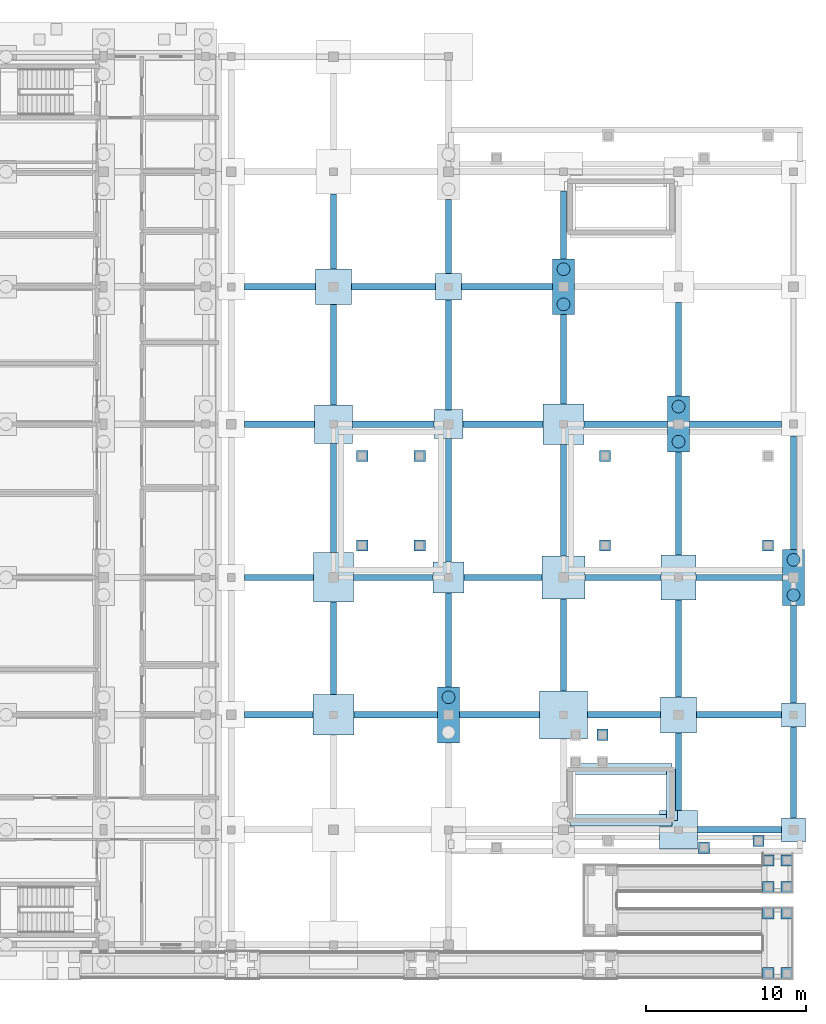
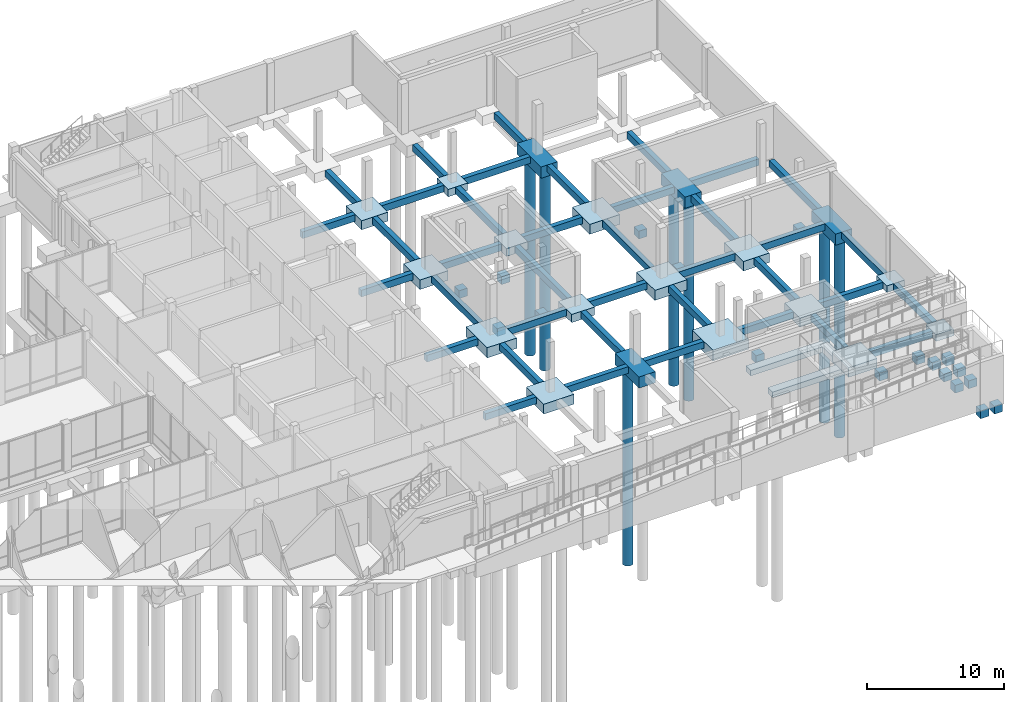
# One storey, part 4 of 104: 78 footings, 7 piles.
"""IFC4 building model written with IfcOpenShell, lengths in metres."""

from ifc_helpers import new_model, si_unit, direction, frame, origin, origin_2d, place, context, subcontext, project, spatial, rectangle, circle, extrude, material, layer, layer_set, material_profile, profile_set, type_object, element, save


model = new_model("IFC4")

# Units and contexts
model_context = context("Model", 3, precision=1e-05, world=origin(), true_north=direction((0.0, 1.0)))
body_context = subcontext(model_context, "Body", "Model", "MODEL_VIEW")
ifc_project = project(units=[si_unit("LENGTHUNIT", "METRE"), si_unit("AREAUNIT", "SQUARE_METRE"), si_unit("VOLUMEUNIT", "CUBIC_METRE"), si_unit("PLANEANGLEUNIT", "RADIAN"), si_unit("MASSUNIT", "GRAM", prefix="KILO")], contexts=[model_context])

# Site, building, storey
site_placement = place(None, origin())
site = spatial("IfcSite", under=ifc_project, at=site_placement, CompositionType="ELEMENT")
building_placement = place(site_placement, origin())
building = spatial("IfcBuilding", under=site, at=building_placement, Name="Hawrajan Terrace Health Centre", CompositionType="ELEMENT")
storey_placement = place(building_placement, origin())
storey = spatial("IfcBuildingStorey", under=building, at=storey_placement, Name="L00", CompositionType="ELEMENT", Elevation=0.0)

# Piles
ifc_material = material(Name="Concrete C40/50", Category="concrete")
ifc_material_profile_1 = material_profile(ifc_material, circle(Radius=0.39990234375, at=origin_2d()), Name="BP 800")
ifc_profile_set_1 = profile_set([ifc_material_profile_1], Name="Concrete C40/50")
pile_type = type_object("IfcPileType", Name="BoredPile_800", PredefinedType="BORED", material=ifc_profile_set_1)
for number, where, z_axis, x_axis, name in (
    (1, (143.800048828125, 19.699951171875, -0.5), (0.0, 0.0, -1.0), (1.0, 0.0, 0.0), "Bored pile P-348"),
    (2, (151.0, 44.300048828125, -0.5), (0.0, 0.0, -1.0), (1.0, 0.0, 0.0), "Bored pile P-353"),
    (3, (151.0, 46.5, -0.5), (0.0, 0.0, -1.0), (1.0, 0.0, 0.0), "Bored pile P-354"),
    (4, (158.199951171875, 35.699951171875, -0.5), (0.0, 0.0, -1.0), (1.0, 0.0, 0.0), "Bored pile P-355"),
    (5, (158.199951171875, 37.89990234375, -0.5), (0.0, 0.0, -1.0), (1.0, 0.0, 0.0), "Bored pile P-356"),
    (6, (165.39990234375, 26.10009765625, -0.5), (0.0, 0.0, -1.0), (1.0, 0.0, 0.0), "Bored pile P-357"),
    (7, (165.39990234375, 28.300048828125, -0.5), (0.0, 0.0, -1.0), (1.0, 0.0, 0.0), "Bored pile P-358"),
):
    element("IfcPile", number, at=place(storey_placement, frame(where, z_axis=z_axis, x_axis=x_axis)), inside=storey, type_object=pile_type, Name=name, PredefinedType="BORED", context=body_context, shape_type="SweptSolid", body=[
        extrude(circle(Radius=0.39990234375, at=origin_2d()), origin(), (0.0, 0.0, 1.0), 18.5),
    ])

# Footings
ifc_material_profile_2 = material_profile(ifc_material, rectangle(XDim=0.39990234375, YDim=0.60009765625, at=origin_2d()), Name="RC BM 400x600")
ifc_profile_set_2 = profile_set([ifc_material_profile_2], Name="Concrete C40/50")
footing_type_1 = type_object("IfcFootingType", Name="GroundBeam_400x600", PredefinedType="FOOTING_BEAM", material=ifc_profile_set_2)
footing_1_placement = place(storey_placement, frame((131.02490234375, 18.60009765625, -0.699951171875), z_axis=(1.0, 0.0, 0.0), x_axis=(0.0, 1.0, 0.0)))
element("IfcFooting", 8, at=footing_1_placement, inside=storey, type_object=footing_type_1, Name="Ground tie beam GB-X-E-17-3", PredefinedType="FOOTING_BEAM", context=body_context, shape_type="SweptSolid", body=[
    extrude(rectangle(XDim=0.39990234375, YDim=0.60009765625, at=origin_2d()), origin(), (0.0, 0.0, 1.0), 4.300048828125),
])
footing_2_placement = place(storey_placement, frame((131.02490234375, 27.199951171875, -0.699951171875), z_axis=(1.0, 0.0, 0.0), x_axis=(0.0, 1.0, 0.0)))
element("IfcFooting", 9, at=footing_2_placement, inside=storey, type_object=footing_type_1, Name="Ground tie beam GB-X-E-17-4", PredefinedType="FOOTING_BEAM", context=body_context, shape_type="SweptSolid", body=[
    extrude(rectangle(XDim=0.39990234375, YDim=0.60009765625, at=origin_2d()), origin(), (0.0, 0.0, 1.0), 4.3251953125),
])
footing_3_placement = place(storey_placement, frame((131.02490234375, 36.800048828125, -0.699951171875), z_axis=(1.0, 0.0, 0.0), x_axis=(0.0, 1.0, 0.0)))
element("IfcFooting", 10, at=footing_3_placement, inside=storey, type_object=footing_type_1, Name="Ground tie beam GB-X-E-17-5", PredefinedType="FOOTING_BEAM", context=body_context, shape_type="SweptSolid", body=[
    extrude(rectangle(XDim=0.39990234375, YDim=0.60009765625, at=origin_2d()), origin(), (0.0, 0.0, 1.0), 4.375),
])
footing_4_placement = place(storey_placement, frame((131.02490234375, 45.39990234375, -0.699951171875), z_axis=(1.0, 0.0, 0.0), x_axis=(0.0, 1.0, 0.0)))
element("IfcFooting", 11, at=footing_4_placement, inside=storey, type_object=footing_type_1, Name="Ground tie beam GB-X-E-17-6", PredefinedType="FOOTING_BEAM", context=body_context, shape_type="SweptSolid", body=[
    extrude(rectangle(XDim=0.39990234375, YDim=0.60009765625, at=origin_2d()), origin(), (0.0, 0.0, 1.0), 4.4501953125),
])
footing_5_placement = place(storey_placement, frame((137.875, 18.60009765625, -0.699951171875), z_axis=(1.0, 0.0, 0.0), x_axis=(0.0, 1.0, 0.0)))
element("IfcFooting", 12, at=footing_5_placement, inside=storey, type_object=footing_type_1, Name="Ground tie beam GB-X-E-18-3", PredefinedType="FOOTING_BEAM", context=body_context, shape_type="SweptSolid", body=[
    extrude(rectangle(XDim=0.39990234375, YDim=0.60009765625, at=origin_2d()), origin(), (0.0, 0.0, 1.0), 5.22509765625),
])
footing_6_placement = place(storey_placement, frame((136.60009765625, 19.875, -0.699951171875), z_axis=(0.0, 1.0, 0.0), x_axis=(-1.0, 0.0, 0.0)))
element("IfcFooting", 13, at=footing_6_placement, inside=storey, type_object=footing_type_1, Name="Ground tie beam GB-Y-E-18-3", PredefinedType="FOOTING_BEAM", context=body_context, shape_type="SweptSolid", body=[
    extrude(rectangle(XDim=0.39990234375, YDim=0.60009765625, at=origin_2d()), origin(), (0.0, 0.0, 1.0), 5.77490234375),
])
footing_7_placement = place(storey_placement, frame((137.85009765625, 27.199951171875, -0.699951171875), z_axis=(1.0, 0.0, 0.0), x_axis=(0.0, 1.0, 0.0)))
element("IfcFooting", 14, at=footing_7_placement, inside=storey, type_object=footing_type_1, Name="Ground tie beam GB-X-E-18-4", PredefinedType="FOOTING_BEAM", context=body_context, shape_type="SweptSolid", body=[
    extrude(rectangle(XDim=0.39990234375, YDim=0.60009765625, at=origin_2d()), origin(), (0.0, 0.0, 1.0), 4.974853515625),
])
footing_8_placement = place(storey_placement, frame((136.60009765625, 28.75, -0.699951171875), z_axis=(0.0, 1.0, 0.0), x_axis=(-1.0, 0.0, 0.0)))
element("IfcFooting", 15, at=footing_8_placement, inside=storey, type_object=footing_type_1, Name="Ground tie beam GB-Y-E-18-4", PredefinedType="FOOTING_BEAM", context=body_context, shape_type="SweptSolid", body=[
    extrude(rectangle(XDim=0.39990234375, YDim=0.60009765625, at=origin_2d()), origin(), (0.0, 0.0, 1.0), 6.85009765625),
])
footing_9_placement = place(storey_placement, frame((137.800048828125, 36.800048828125, -0.699951171875), z_axis=(1.0, 0.0, 0.0), x_axis=(0.0, 1.0, 0.0)))
element("IfcFooting", 16, at=footing_9_placement, inside=storey, type_object=footing_type_1, Name="Ground tie beam GB-X-E-18-5", PredefinedType="FOOTING_BEAM", context=body_context, shape_type="SweptSolid", body=[
    extrude(rectangle(XDim=0.39990234375, YDim=0.60009765625, at=origin_2d()), origin(), (0.0, 0.0, 1.0), 5.099853515625),
])
footing_10_placement = place(storey_placement, frame((136.60009765625, 38.0, -0.699951171875), z_axis=(0.0, 1.0, 0.0), x_axis=(-1.0, 0.0, 0.0)))
element("IfcFooting", 17, at=footing_10_placement, inside=storey, type_object=footing_type_1, Name="Ground tie beam GB-Y-E-18-5", PredefinedType="FOOTING_BEAM", context=body_context, shape_type="SweptSolid", body=[
    extrude(rectangle(XDim=0.39990234375, YDim=0.60009765625, at=origin_2d()), origin(), (0.0, 0.0, 1.0), 6.27490234375),
])
footing_11_placement = place(storey_placement, frame((137.72509765625, 45.39990234375, -0.699951171875), z_axis=(1.0, 0.0, 0.0), x_axis=(0.0, 1.0, 0.0)))
element("IfcFooting", 18, at=footing_11_placement, inside=storey, type_object=footing_type_1, Name="Ground tie beam GB-X-E-18-6", PredefinedType="FOOTING_BEAM", context=body_context, shape_type="SweptSolid", body=[
    extrude(rectangle(XDim=0.39990234375, YDim=0.60009765625, at=origin_2d()), origin(), (0.0, 0.0, 1.0), 5.25),
])
footing_12_placement = place(storey_placement, frame((136.60009765625, 46.52490234375, -0.699951171875), z_axis=(0.0, 1.0, 0.0), x_axis=(-1.0, 0.0, 0.0)))
element("IfcFooting", 19, at=footing_12_placement, inside=storey, type_object=footing_type_1, Name="Ground tie beam GB-Y-E-18-6", PredefinedType="FOOTING_BEAM", context=body_context, shape_type="SweptSolid", body=[
    extrude(rectangle(XDim=0.39990234375, YDim=0.60009765625, at=origin_2d()), origin(), (0.0, 0.0, 1.0), 4.675048828125),
])
footing_13_placement = place(storey_placement, frame((144.5, 18.60009765625, -0.699951171875), z_axis=(1.0, 0.0, 0.0), x_axis=(0.0, 1.0, 0.0)))
element("IfcFooting", 20, at=footing_13_placement, inside=storey, type_object=footing_type_1, Name="Ground tie beam GB-X-E-19-3", PredefinedType="FOOTING_BEAM", context=body_context, shape_type="SweptSolid", body=[
    extrude(rectangle(XDim=0.39990234375, YDim=0.60009765625, at=origin_2d()), origin(), (0.0, 0.0, 1.0), 5.0),
])
footing_14_placement = place(storey_placement, frame((143.800048828125, 20.35009765625, -0.699951171875), z_axis=(0.0, 1.0, 0.0), x_axis=(-1.0, 0.0, 0.0)))
element("IfcFooting", 21, at=footing_14_placement, inside=storey, type_object=footing_type_1, Name="Ground tie beam GB-Y-E-19-3", PredefinedType="FOOTING_BEAM", context=body_context, shape_type="SweptSolid", body=[
    extrude(rectangle(XDim=0.39990234375, YDim=0.60009765625, at=origin_2d()), origin(), (0.0, 0.0, 1.0), 5.875),
])
footing_15_placement = place(storey_placement, frame((144.77490234375, 27.199951171875, -0.699951171875), z_axis=(1.0, 0.0, 0.0), x_axis=(0.0, 1.0, 0.0)))
element("IfcFooting", 22, at=footing_15_placement, inside=storey, type_object=footing_type_1, Name="Ground tie beam GB-X-E-19-4", PredefinedType="FOOTING_BEAM", context=body_context, shape_type="SweptSolid", body=[
    extrude(rectangle(XDim=0.39990234375, YDim=0.60009765625, at=origin_2d()), origin(), (0.0, 0.0, 1.0), 4.875),
])
footing_16_placement = place(storey_placement, frame((143.800048828125, 28.175048828125, -0.699951171875), z_axis=(0.0, 1.0, 0.0), x_axis=(-1.0, 0.0, 0.0)))
element("IfcFooting", 23, at=footing_16_placement, inside=storey, type_object=footing_type_1, Name="Ground tie beam GB-Y-E-19-4", PredefinedType="FOOTING_BEAM", context=body_context, shape_type="SweptSolid", body=[
    extrude(rectangle(XDim=0.39990234375, YDim=0.60009765625, at=origin_2d()), origin(), (0.0, 0.0, 1.0), 7.724853515625),
])
footing_17_placement = place(storey_placement, frame((144.699951171875, 36.800048828125, -0.699951171875), z_axis=(1.0, 0.0, 0.0), x_axis=(0.0, 1.0, 0.0)))
element("IfcFooting", 24, at=footing_17_placement, inside=storey, type_object=footing_type_1, Name="Ground tie beam GB-X-E-19-5", PredefinedType="FOOTING_BEAM", context=body_context, shape_type="SweptSolid", body=[
    extrude(rectangle(XDim=0.39990234375, YDim=0.60009765625, at=origin_2d()), origin(), (0.0, 0.0, 1.0), 5.025146484375),
])
footing_18_placement = place(storey_placement, frame((143.800048828125, 37.699951171875, -0.699951171875), z_axis=(0.0, 1.0, 0.0), x_axis=(-1.0, 0.0, 0.0)))
element("IfcFooting", 25, at=footing_18_placement, inside=storey, type_object=footing_type_1, Name="Ground tie beam GB-Y-E-19-5", PredefinedType="FOOTING_BEAM", context=body_context, shape_type="SweptSolid", body=[
    extrude(rectangle(XDim=0.39990234375, YDim=0.60009765625, at=origin_2d()), origin(), (0.0, 0.0, 1.0), 6.875),
])
footing_19_placement = place(storey_placement, frame((144.625, 45.39990234375, -0.699951171875), z_axis=(1.0, 0.0, 0.0), x_axis=(0.0, 1.0, 0.0)))
element("IfcFooting", 26, at=footing_19_placement, inside=storey, type_object=footing_type_1, Name="Ground tie beam GB-X-E-19-6", PredefinedType="FOOTING_BEAM", context=body_context, shape_type="SweptSolid", body=[
    extrude(rectangle(XDim=0.39990234375, YDim=0.60009765625, at=origin_2d()), origin(), (0.0, 0.0, 1.0), 5.675048828125),
])
footing_20_placement = place(storey_placement, frame((143.800048828125, 46.22509765625, -0.699951171875), z_axis=(0.0, 1.0, 0.0), x_axis=(-1.0, 0.0, 0.0)))
element("IfcFooting", 27, at=footing_20_placement, inside=storey, type_object=footing_type_1, Name="Ground tie beam GB-Y-E-19-6", PredefinedType="FOOTING_BEAM", context=body_context, shape_type="SweptSolid", body=[
    extrude(rectangle(XDim=0.39990234375, YDim=0.60009765625, at=origin_2d()), origin(), (0.0, 0.0, 1.0), 4.625),
])
footing_21_placement = place(storey_placement, frame((152.5, 18.60009765625, -0.699951171875), z_axis=(1.0, 0.0, 0.0), x_axis=(0.0, 1.0, 0.0)))
element("IfcFooting", 28, at=footing_21_placement, inside=storey, type_object=footing_type_1, Name="Ground tie beam GB-X-E-20-3", PredefinedType="FOOTING_BEAM", context=body_context, shape_type="SweptSolid", body=[
    extrude(rectangle(XDim=0.39990234375, YDim=0.60009765625, at=origin_2d()), origin(), (0.0, 0.0, 1.0), 4.574951171875),
])
footing_22_placement = place(storey_placement, frame((151.0, 20.10009765625, -0.699951171875), z_axis=(0.0, 1.0, 0.0), x_axis=(-1.0, 0.0, 0.0)))
element("IfcFooting", 29, at=footing_22_placement, inside=storey, type_object=footing_type_1, Name="Ground tie beam GB-Y-E-20-3", PredefinedType="FOOTING_BEAM", context=body_context, shape_type="SweptSolid", body=[
    extrude(rectangle(XDim=0.39990234375, YDim=0.60009765625, at=origin_2d()), origin(), (0.0, 0.0, 1.0), 5.75),
])
footing_23_placement = place(storey_placement, frame((152.35009765625, 27.199951171875, -0.699951171875), z_axis=(1.0, 0.0, 0.0), x_axis=(0.0, 1.0, 0.0)))
element("IfcFooting", 30, at=footing_23_placement, inside=storey, type_object=footing_type_1, Name="Ground tie beam GB-X-E-20-4", PredefinedType="FOOTING_BEAM", context=body_context, shape_type="SweptSolid", body=[
    extrude(rectangle(XDim=0.39990234375, YDim=0.60009765625, at=origin_2d()), origin(), (0.0, 0.0, 1.0), 4.75),
])
footing_24_placement = place(storey_placement, frame((151.0, 28.550048828125, -0.699951171875), z_axis=(0.0, 1.0, 0.0), x_axis=(-1.0, 0.0, 0.0)))
element("IfcFooting", 31, at=footing_24_placement, inside=storey, type_object=footing_type_1, Name="Ground tie beam GB-Y-E-20-4", PredefinedType="FOOTING_BEAM", context=body_context, shape_type="SweptSolid", body=[
    extrude(rectangle(XDim=0.39990234375, YDim=0.60009765625, at=origin_2d()), origin(), (0.0, 0.0, 1.0), 6.974853515625),
])
footing_25_placement = place(storey_placement, frame((152.27490234375, 36.800048828125, -0.699951171875), z_axis=(1.0, 0.0, 0.0), x_axis=(0.0, 1.0, 0.0)))
element("IfcFooting", 32, at=footing_25_placement, inside=storey, type_object=footing_type_1, Name="Ground tie beam GB-X-E-20-5", PredefinedType="FOOTING_BEAM", context=body_context, shape_type="SweptSolid", body=[
    extrude(rectangle(XDim=0.39990234375, YDim=0.60009765625, at=origin_2d()), origin(), (0.0, 0.0, 1.0), 5.22509765625),
])
footing_26_placement = place(storey_placement, frame((151.0, 38.074951171875, -0.699951171875), z_axis=(0.0, 1.0, 0.0), x_axis=(-1.0, 0.0, 0.0)))
element("IfcFooting", 33, at=footing_26_placement, inside=storey, type_object=footing_type_1, Name="Ground tie beam GB-Y-E-20-5", PredefinedType="FOOTING_BEAM", context=body_context, shape_type="SweptSolid", body=[
    extrude(rectangle(XDim=0.39990234375, YDim=0.60009765625, at=origin_2d()), origin(), (0.0, 0.0, 1.0), 5.574951171875),
])
footing_27_placement = place(storey_placement, frame((151.0, 47.14990234375, -0.699951171875), z_axis=(0.0, 1.0, 0.0), x_axis=(-1.0, 0.0, 0.0)))
element("IfcFooting", 34, at=footing_27_placement, inside=storey, type_object=footing_type_1, Name="Ground tie beam GB-Y-E-20-6", PredefinedType="FOOTING_BEAM", context=body_context, shape_type="SweptSolid", body=[
    extrude(rectangle(XDim=0.39990234375, YDim=0.60009765625, at=origin_2d()), origin(), (0.0, 0.0, 1.0), 4.25),
])
footing_28_placement = place(storey_placement, frame((159.39990234375, 11.39990234375, -0.699951171875), z_axis=(1.0, 0.0, 0.0), x_axis=(0.0, 1.0, 0.0)))
element("IfcFooting", 35, at=footing_28_placement, inside=storey, type_object=footing_type_1, Name="Ground tie beam GB-X-E-21-2", PredefinedType="FOOTING_BEAM", context=body_context, shape_type="SweptSolid", body=[
    extrude(rectangle(XDim=0.39990234375, YDim=0.60009765625, at=origin_2d()), origin(), (0.0, 0.0, 1.0), 5.25),
])
footing_29_placement = place(storey_placement, frame((158.199951171875, 12.60009765625, -0.699951171875), z_axis=(0.0, 1.0, 0.0), x_axis=(-1.0, 0.0, 0.0)))
element("IfcFooting", 36, at=footing_29_placement, inside=storey, type_object=footing_type_1, Name="Ground tie beam GB-Y-E-21-2", PredefinedType="FOOTING_BEAM", context=body_context, shape_type="SweptSolid", body=[
    extrude(rectangle(XDim=0.39990234375, YDim=0.60009765625, at=origin_2d()), origin(), (0.0, 0.0, 1.0), 4.875),
])
footing_30_placement = place(storey_placement, frame((159.324951171875, 18.60009765625, -0.699951171875), z_axis=(1.0, 0.0, 0.0), x_axis=(0.0, 1.0, 0.0)))
element("IfcFooting", 37, at=footing_30_placement, inside=storey, type_object=footing_type_1, Name="Ground tie beam GB-X-E-21-3", PredefinedType="FOOTING_BEAM", context=body_context, shape_type="SweptSolid", body=[
    extrude(rectangle(XDim=0.39990234375, YDim=0.60009765625, at=origin_2d()), origin(), (0.0, 0.0, 1.0), 5.324951171875),
])
footing_31_placement = place(storey_placement, frame((158.199951171875, 19.72509765625, -0.699951171875), z_axis=(0.0, 1.0, 0.0), x_axis=(-1.0, 0.0, 0.0)))
element("IfcFooting", 38, at=footing_31_placement, inside=storey, type_object=footing_type_1, Name="Ground tie beam GB-Y-E-21-3", PredefinedType="FOOTING_BEAM", context=body_context, shape_type="SweptSolid", body=[
    extrude(rectangle(XDim=0.39990234375, YDim=0.60009765625, at=origin_2d()), origin(), (0.0, 0.0, 1.0), 6.074951171875),
])
footing_32_placement = place(storey_placement, frame((159.300048828125, 27.199951171875, -0.699951171875), z_axis=(1.0, 0.0, 0.0), x_axis=(0.0, 1.0, 0.0)))
element("IfcFooting", 39, at=footing_32_placement, inside=storey, type_object=footing_type_1, Name="Ground tie beam GB-X-E-21-4", PredefinedType="FOOTING_BEAM", context=body_context, shape_type="SweptSolid", body=[
    extrude(rectangle(XDim=0.39990234375, YDim=0.60009765625, at=origin_2d()), origin(), (0.0, 0.0, 1.0), 5.39990234375),
])
footing_33_placement = place(storey_placement, frame((158.199951171875, 28.60009765625, -0.699951171875), z_axis=(0.0, 1.0, 0.0), x_axis=(-1.0, 0.0, 0.0)))
element("IfcFooting", 40, at=footing_33_placement, inside=storey, type_object=footing_type_1, Name="Ground tie beam GB-Y-E-21-4", PredefinedType="FOOTING_BEAM", context=body_context, shape_type="SweptSolid", body=[
    extrude(rectangle(XDim=0.39990234375, YDim=0.60009765625, at=origin_2d()), origin(), (0.0, 0.0, 1.0), 6.449951171875),
])
footing_34_placement = place(storey_placement, frame((158.89990234375, 36.800048828125, -0.699951171875), z_axis=(1.0, 0.0, 0.0), x_axis=(0.0, 1.0, 0.0)))
element("IfcFooting", 41, at=footing_34_placement, inside=storey, type_object=footing_type_1, Name="Ground tie beam GB-X-E-21-5", PredefinedType="FOOTING_BEAM", context=body_context, shape_type="SweptSolid", body=[
    extrude(rectangle(XDim=0.39990234375, YDim=0.60009765625, at=origin_2d()), origin(), (0.0, 0.0, 1.0), 5.75),
])
footing_35_placement = place(storey_placement, frame((158.199951171875, 38.550048828125, -0.699951171875), z_axis=(0.0, 1.0, 0.0), x_axis=(-1.0, 0.0, 0.0)))
element("IfcFooting", 42, at=footing_35_placement, inside=storey, type_object=footing_type_1, Name="Ground tie beam GB-Y-E-21-5", PredefinedType="FOOTING_BEAM", context=body_context, shape_type="SweptSolid", body=[
    extrude(rectangle(XDim=0.39990234375, YDim=0.60009765625, at=origin_2d()), origin(), (0.0, 0.0, 1.0), 5.875),
])
footing_36_placement = place(storey_placement, frame((165.39990234375, 12.14990234375, -0.699951171875), z_axis=(0.0, 1.0, 0.0), x_axis=(-1.0, 0.0, 0.0)))
element("IfcFooting", 43, at=footing_36_placement, inside=storey, type_object=footing_type_1, Name="Ground tie beam GB-Y-E-22-2", PredefinedType="FOOTING_BEAM", context=body_context, shape_type="SweptSolid", body=[
    extrude(rectangle(XDim=0.39990234375, YDim=0.60009765625, at=origin_2d()), origin(), (0.0, 0.0, 1.0), 5.7001953125),
])
footing_37_placement = place(storey_placement, frame((165.39990234375, 19.35009765625, -0.699951171875), z_axis=(0.0, 1.0, 0.0), x_axis=(-1.0, 0.0, 0.0)))
element("IfcFooting", 44, at=footing_37_placement, inside=storey, type_object=footing_type_1, Name="Ground tie beam GB-Y-E-22-3", PredefinedType="FOOTING_BEAM", context=body_context, shape_type="SweptSolid", body=[
    extrude(rectangle(XDim=0.39990234375, YDim=0.60009765625, at=origin_2d()), origin(), (0.0, 0.0, 1.0), 6.099853515625),
])
footing_38_placement = place(storey_placement, frame((165.39990234375, 28.949951171875, -0.699951171875), z_axis=(0.0, 1.0, 0.0), x_axis=(-1.0, 0.0, 0.0)))
element("IfcFooting", 45, at=footing_38_placement, inside=storey, type_object=footing_type_1, Name="Ground tie beam GB-Y-E-22-4", PredefinedType="FOOTING_BEAM", context=body_context, shape_type="SweptSolid", body=[
    extrude(rectangle(XDim=0.39990234375, YDim=0.60009765625, at=origin_2d()), origin(), (0.0, 0.0, 1.0), 7.10009765625),
])
ifc_layer_1 = layer(ifc_material, 0.60009765625)
ifc_layer_set_1 = layer_set([ifc_layer_1], Name="Concrete C40/50")
footing_type_2 = type_object("IfcFootingType", Name="PadFooting_1500", PredefinedType="PAD_FOOTING", material=ifc_layer_set_1)
for number, where, z_axis, x_axis, name in (
    (46, (165.39990234375, 11.39990234375, -1.0), (0.0, 0.0, 1.0), (1.0, 0.0, 0.0), "Foundation FT-E-X22-Y2"),
    (47, (165.39990234375, 18.60009765625, -1.0), (0.0, 0.0, 1.0), (1.0, 0.0, 0.0), "Foundation FT-E-X22-Y3"),
):
    element("IfcFooting", number, at=place(storey_placement, frame(where, z_axis=z_axis, x_axis=x_axis)), inside=storey, type_object=footing_type_2, Name=name, PredefinedType="PAD_FOOTING", context=body_context, shape_type="SweptSolid", body=[
        extrude(rectangle(XDim=1.5, YDim=1.5, at=origin_2d()), origin(), (0.0, 0.0, 1.0), 0.60009765625),
    ])
ifc_layer_2 = layer(ifc_material, 0.64990234375)
ifc_layer_set_2 = layer_set([ifc_layer_2], Name="Concrete C40/50")
footing_type_3 = type_object("IfcFootingType", Name="PadFooting_1650", PredefinedType="PAD_FOOTING", material=ifc_layer_set_2)
footing_39_placement = place(storey_placement, frame((143.800048828125, 45.39990234375, -1.050048828125), z_axis=(0.0, 0.0, 1.0), x_axis=(1.0, 0.0, 0.0)))
element("IfcFooting", 48, at=footing_39_placement, inside=storey, type_object=footing_type_3, Name="Foundation FT-E-X19-Y6", PredefinedType="PAD_FOOTING", context=body_context, shape_type="SweptSolid", body=[
    extrude(rectangle(XDim=1.64990234375, YDim=1.64990234375, at=origin_2d()), origin(), (0.0, 0.0, 1.0), 0.64990234375),
])
ifc_layer_3 = layer(ifc_material, 0.699951171875)
ifc_layer_set_3 = layer_set([ifc_layer_3], Name="Concrete C40/50")
footing_type_4 = type_object("IfcFootingType", Name="PadFooting_1800", PredefinedType="PAD_FOOTING", material=ifc_layer_set_3)
footing_40_placement = place(storey_placement, frame((143.800048828125, 36.800048828125, -1.10009765625), z_axis=(0.0, 0.0, 1.0), x_axis=(1.0, 0.0, 0.0)))
element("IfcFooting", 49, at=footing_40_placement, inside=storey, type_object=footing_type_4, Name="Foundation FT-E-X19-Y5", PredefinedType="PAD_FOOTING", context=body_context, shape_type="SweptSolid", body=[
    extrude(rectangle(XDim=1.800048828125, YDim=1.800048828125, at=origin_2d()), origin(), (0.0, 0.0, 1.0), 0.699951171875),
])
ifc_layer_4 = layer(ifc_material, 0.719970703125)
ifc_layer_set_4 = layer_set([ifc_layer_4], Name="Concrete C40/50")
footing_type_5 = type_object("IfcFootingType", Name="PadFooting_1950", PredefinedType="PAD_FOOTING", material=ifc_layer_set_4)
footing_41_placement = place(storey_placement, frame((143.800048828125, 27.199951171875, -1.1201171875), z_axis=(0.0, 0.0, 1.0), x_axis=(1.0, 0.0, 0.0)))
element("IfcFooting", 50, at=footing_41_placement, inside=storey, type_object=footing_type_5, Name="Foundation FT-E-X19-Y4", PredefinedType="PAD_FOOTING", context=body_context, shape_type="SweptSolid", body=[
    extrude(rectangle(XDim=1.949951171875, YDim=1.949951171875, at=origin_2d()), origin(), (0.0, 0.0, 1.0), 0.719970703125),
])
ifc_layer_5 = layer(ifc_material, 0.85009765625)
ifc_layer_set_5 = layer_set([ifc_layer_5], Name="Concrete C40/50")
footing_type_6 = type_object("IfcFootingType", Name="PadFooting_2200x2800", PredefinedType="PAD_FOOTING", material=ifc_layer_set_5)
footing_42_placement = place(storey_placement, frame((158.199951171875, 27.199951171875, -1.25), z_axis=(0.0, 0.0, 1.0), x_axis=(1.0, 0.0, 0.0)))
element("IfcFooting", 51, at=footing_42_placement, inside=storey, type_object=footing_type_6, Name="Foundation FT-E-X21-Y4", PredefinedType="PAD_FOOTING", context=body_context, shape_type="SweptSolid", body=[
    extrude(rectangle(XDim=2.199951171875, YDim=2.800048828125, at=origin_2d()), origin(), (0.0, 0.0, 1.0), 0.85009765625),
])
ifc_layer_6 = layer(ifc_material, 0.800048828125)
ifc_layer_set_6 = layer_set([ifc_layer_6], Name="Concrete C40/50")
footing_type_7 = type_object("IfcFootingType", Name="PadFooting_2250", PredefinedType="PAD_FOOTING", material=ifc_layer_set_6)
for number, where, z_axis, x_axis, name in (
    (52, (136.60009765625, 45.39990234375, -1.2001953125), (0.0, 0.0, 1.0), (1.0, 0.0, 0.0), "Foundation FT-E-X18-Y6"),
    (53, (158.199951171875, 18.60009765625, -1.2001953125), (0.0, 0.0, 1.0), (1.0, 0.0, 0.0), "Foundation FT-E-X21-Y3"),
):
    element("IfcFooting", number, at=place(storey_placement, frame(where, z_axis=z_axis, x_axis=x_axis)), inside=storey, type_object=footing_type_7, Name=name, PredefinedType="PAD_FOOTING", context=body_context, shape_type="SweptSolid", body=[
        extrude(rectangle(XDim=2.25, YDim=2.25, at=origin_2d()), origin(), (0.0, 0.0, 1.0), 0.800048828125),
    ])
ifc_layer_7 = layer(ifc_material, 0.85009765625)
ifc_layer_set_7 = layer_set([ifc_layer_7], Name="Concrete C40/50")
footing_type_8 = type_object("IfcFootingType", Name="PadFooting_2400", PredefinedType="PAD_FOOTING", material=ifc_layer_set_7)
for number, where, z_axis, x_axis, name in (
    (54, (136.60009765625, 36.800048828125, -1.25), (0.0, 0.0, 1.0), (1.0, 0.0, 0.0), "Foundation FT-E-X18-Y5"),
    (55, (158.199951171875, 11.39990234375, -1.25), (0.0, 0.0, 1.0), (1.0, 0.0, 0.0), "Foundation FT-E-X21-Y2"),
):
    element("IfcFooting", number, at=place(storey_placement, frame(where, z_axis=z_axis, x_axis=x_axis)), inside=storey, type_object=footing_type_8, Name=name, PredefinedType="PAD_FOOTING", context=body_context, shape_type="SweptSolid", body=[
        extrude(rectangle(XDim=2.39990234375, YDim=2.39990234375, at=origin_2d()), origin(), (0.0, 0.0, 1.0), 0.85009765625),
    ])
ifc_layer_8 = layer(ifc_material, 0.919921875)
ifc_layer_set_8 = layer_set([ifc_layer_8], Name="Concrete C40/50")
footing_type_9 = type_object("IfcFootingType", Name="PadFooting_2500x3100", PredefinedType="PAD_FOOTING", material=ifc_layer_set_8)
footing_43_placement = place(storey_placement, frame((136.60009765625, 27.199951171875, -1.320068359375), z_axis=(0.0, 0.0, 1.0), x_axis=(1.0, 0.0, 0.0)))
element("IfcFooting", 56, at=footing_43_placement, inside=storey, type_object=footing_type_9, Name="Foundation FT-E-X18-Y4", PredefinedType="PAD_FOOTING", context=body_context, shape_type="SweptSolid", body=[
    extrude(rectangle(XDim=2.5, YDim=3.10009765625, at=origin_2d()), origin(), (0.0, 0.0, 1.0), 0.919921875),
])
ifc_layer_9 = layer(ifc_material, 0.8798828125)
ifc_layer_set_9 = layer_set([ifc_layer_9], Name="Concrete C40/50")
footing_type_10 = type_object("IfcFootingType", Name="PadFooting_2550", PredefinedType="PAD_FOOTING", material=ifc_layer_set_9)
for number, where, z_axis, x_axis, name in (
    (57, (136.60009765625, 18.60009765625, -1.280029296875), (0.0, 0.0, 1.0), (1.0, 0.0, 0.0), "Foundation FT-E-X18-Y3"),
    (58, (151.0, 36.800048828125, -1.280029296875), (0.0, 0.0, 1.0), (1.0, 0.0, 0.0), "Foundation FT-E-X20-Y5"),
):
    element("IfcFooting", number, at=place(storey_placement, frame(where, z_axis=z_axis, x_axis=x_axis)), inside=storey, type_object=footing_type_10, Name=name, PredefinedType="PAD_FOOTING", context=body_context, shape_type="SweptSolid", body=[
        extrude(rectangle(XDim=2.550048828125, YDim=2.550048828125, at=origin_2d()), origin(), (0.0, 0.0, 1.0), 0.8798828125),
    ])
ifc_layer_10 = layer(ifc_material, 0.89990234375)
ifc_layer_set_10 = layer_set([ifc_layer_10], Name="Concrete C40/50")
footing_type_11 = type_object("IfcFootingType", Name="PadFooting_2700", PredefinedType="PAD_FOOTING", material=ifc_layer_set_10)
footing_44_placement = place(storey_placement, frame((151.0, 27.199951171875, -1.300048828125), z_axis=(0.0, 0.0, 1.0), x_axis=(1.0, 0.0, 0.0)))
element("IfcFooting", 59, at=footing_44_placement, inside=storey, type_object=footing_type_11, Name="Foundation FT-E-X20-Y4", PredefinedType="PAD_FOOTING", context=body_context, shape_type="SweptSolid", body=[
    extrude(rectangle(XDim=2.699951171875, YDim=2.699951171875, at=origin_2d()), origin(), (0.0, 0.0, 1.0), 0.89990234375),
])
ifc_layer_11 = layer(ifc_material, 0.949951171875)
ifc_layer_set_11 = layer_set([ifc_layer_11], Name="Concrete C40/50")
footing_type_12 = type_object("IfcFootingType", Name="PadFooting_3000", PredefinedType="PAD_FOOTING", material=ifc_layer_set_11)
footing_45_placement = place(storey_placement, frame((151.0, 18.60009765625, -1.35009765625), z_axis=(0.0, 0.0, 1.0), x_axis=(1.0, 0.0, 0.0)))
element("IfcFooting", 60, at=footing_45_placement, inside=storey, type_object=footing_type_12, Name="Foundation FT-E-X20-Y3", PredefinedType="PAD_FOOTING", context=body_context, shape_type="SweptSolid", body=[
    extrude(rectangle(XDim=3.0, YDim=3.0, at=origin_2d()), origin(), (0.0, 0.0, 1.0), 0.949951171875),
])
ifc_layer_12 = layer(ifc_material, 0.699951171875)
ifc_layer_set_12 = layer_set([ifc_layer_12], Name="Concrete C40/50")
footing_type_13 = type_object("IfcFootingType", Name="PadFooting_700", PredefinedType="PAD_FOOTING", material=ifc_layer_set_12)
for number, where, z_axis, x_axis, name in (
    (61, (153.60009765625, 29.199951171875, -2.2998046875), (0.0, 0.0, 1.0), (1.0, 0.0, 0.0), "Escarpment plinth pad footing APRON-L01-EAST-GAIT-1"),
    (62, (163.800048828125, 29.199951171875, -2.2998046875), (0.0, 0.0, 1.0), (1.0, 0.0, 0.0), "Escarpment plinth pad footing APRON-L01-EAST-GAIT-2"),
    (63, (153.60009765625, 34.800048828125, -2.2998046875), (0.0, 0.0, 1.0), (1.0, 0.0, 0.0), "Escarpment plinth pad footing APRON-L01-EAST-GAIT-4"),
    (64, (159.800048828125, 10.280029296875, -2.2998046875), (0.0, 0.0, 1.0), (1.0, 0.0, 0.0), "Escarpment plinth pad footing APRON-L01-EAST-SOUTH-3"),
    (65, (163.199951171875, 10.7099609375, -2.2998046875), (0.0, 0.0, 1.0), (1.0, 0.0, 0.0), "Escarpment plinth pad footing APRON-L01-EAST-SOUTH-4"),
    (66, (138.39990234375, 29.199951171875, -2.2998046875), (0.0, 0.0, 1.0), (1.0, 0.0, 0.0), "Escarpment plinth pad footing APRON-L01-SERVICE-1"),
    (67, (142.0, 29.199951171875, -2.2998046875), (0.0, 0.0, 1.0), (1.0, 0.0, 0.0), "Escarpment plinth pad footing APRON-L01-SERVICE-2"),
    (68, (142.0, 34.800048828125, -2.2998046875), (0.0, 0.0, 1.0), (1.0, 0.0, 0.0), "Escarpment plinth pad footing APRON-L01-SERVICE-3"),
    (69, (138.39990234375, 34.800048828125, -2.2998046875), (0.0, 0.0, 1.0), (1.0, 0.0, 0.0), "Escarpment plinth pad footing APRON-L01-SERVICE-4"),
    (70, (163.820068359375, 2.419921875, -2.2998046875), (0.0, 0.0, 1.0), (1.0, 0.0, 0.0), "Escarpment plinth pad footing RMP-04-LND-1"),
    (71, (164.97998046875, 2.419921875, -2.2998046875), (0.0, 0.0, 1.0), (1.0, 0.0, 0.0), "Escarpment plinth pad footing RMP-04-LND-2"),
    (72, (164.97998046875, 6.179931640625, -2.2998046875), (0.0, 0.0, 1.0), (1.0, 0.0, 0.0), "Escarpment plinth pad footing RMP-04-LND-3"),
    (73, (163.820068359375, 6.179931640625, -2.2998046875), (0.0, 0.0, 1.0), (1.0, 0.0, 0.0), "Escarpment plinth pad footing RMP-04-LND-4"),
    (74, (163.820068359375, 7.820068359375, -2.2998046875), (0.0, 0.0, 1.0), (1.0, 0.0, 0.0), "Escarpment plinth pad footing RMP-06-LND-1"),
    (75, (164.97998046875, 7.820068359375, -2.2998046875), (0.0, 0.0, 1.0), (1.0, 0.0, 0.0), "Escarpment plinth pad footing RMP-06-LND-2"),
    (76, (164.97998046875, 9.47998046875, -2.2998046875), (0.0, 0.0, 1.0), (1.0, 0.0, 0.0), "Escarpment plinth pad footing RMP-06-LND-3"),
    (77, (163.820068359375, 9.47998046875, -2.2998046875), (0.0, 0.0, 1.0), (1.0, 0.0, 0.0), "Escarpment plinth pad footing RMP-06-LND-4"),
    (78, (153.449951171875, 17.35009765625, -2.7998046875), (0.0, 0.0, 1.0), (1.0, 0.0, 0.0), "Lift pit pad footing LC-06-3"),
):
    element("IfcFooting", number, at=place(storey_placement, frame(where, z_axis=z_axis, x_axis=x_axis)), inside=storey, type_object=footing_type_13, Name=name, PredefinedType="PAD_FOOTING", context=body_context, shape_type="SweptSolid", body=[
        extrude(rectangle(XDim=0.699951171875, YDim=0.699951171875, at=origin_2d()), origin(), (0.0, 0.0, 1.0), 0.699951171875),
    ])
ifc_layer_13 = layer(ifc_material, 1.0)
ifc_layer_set_13 = layer_set([ifc_layer_13], Name="Concrete C40/50")
footing_type_14 = type_object("IfcFootingType", Name="PileCap_2P800_NS", PredefinedType="PILE_CAP", material=ifc_layer_set_13)
for number, where, z_axis, x_axis, name in (
    (79, (143.800048828125, 18.60009765625, -1.39990234375), (0.0, 0.0, 1.0), (1.0, 0.0, 0.0), "Foundation FT-E-X19-Y3"),
    (80, (151.0, 45.39990234375, -1.39990234375), (0.0, 0.0, 1.0), (1.0, 0.0, 0.0), "Foundation FT-E-X20-Y6"),
    (81, (158.199951171875, 36.800048828125, -1.39990234375), (0.0, 0.0, 1.0), (1.0, 0.0, 0.0), "Foundation FT-E-X21-Y5"),
    (82, (165.39990234375, 27.199951171875, -1.39990234375), (0.0, 0.0, 1.0), (1.0, 0.0, 0.0), "Foundation FT-E-X22-Y4"),
):
    element("IfcFooting", number, at=place(storey_placement, frame(where, z_axis=z_axis, x_axis=x_axis)), inside=storey, type_object=footing_type_14, Name=name, PredefinedType="PILE_CAP", context=body_context, shape_type="SweptSolid", body=[
        extrude(rectangle(XDim=1.39990234375, YDim=3.5, at=origin_2d()), origin(), (0.0, 0.0, 1.0), 1.0),
    ])
ifc_material_profile_3 = material_profile(ifc_material, rectangle(XDim=0.699951171875, YDim=0.5, at=origin_2d()), Name="RC STRIP 700x500")
ifc_profile_set_3 = profile_set([ifc_material_profile_3], Name="Concrete C40/50")
footing_type_15 = type_object("IfcFootingType", Name="StripFooting_700x500", PredefinedType="STRIP_FOOTING", material=ifc_profile_set_3)
for number, where, z_axis, x_axis, name in (
    (83, (151.39990234375, 12.0, -1.75), (1.0, 0.0, 0.0), (0.0, 1.0, 0.0), "Stair shaft strip footing S8-S"),
    (84, (151.39990234375, 15.199951171875, -1.75), (1.0, 0.0, 0.0), (0.0, 1.0, 0.0), "Stair shaft strip footing S8-N"),
):
    element("IfcFooting", number, at=place(storey_placement, frame(where, z_axis=z_axis, x_axis=x_axis)), inside=storey, type_object=footing_type_15, Name=name, PredefinedType="STRIP_FOOTING", context=body_context, shape_type="SweptSolid", body=[
        extrude(rectangle(XDim=0.699951171875, YDim=0.5, at=origin_2d()), origin(), (0.0, 0.0, 1.0), 6.400146484375),
    ])
footing_46_placement = place(storey_placement, frame((157.800048828125, 12.0, -1.75), z_axis=(0.0, 1.0, 0.0), x_axis=(-1.0, 0.0, 0.0)))
element("IfcFooting", 85, at=footing_46_placement, inside=storey, type_object=footing_type_15, Name="Stair shaft strip footing S8-E", PredefinedType="STRIP_FOOTING", context=body_context, shape_type="SweptSolid", body=[
    extrude(rectangle(XDim=0.699951171875, YDim=0.5, at=origin_2d()), origin(), (0.0, 0.0, 1.0), 3.199951171875),
])

save(model, "model.ifc")
